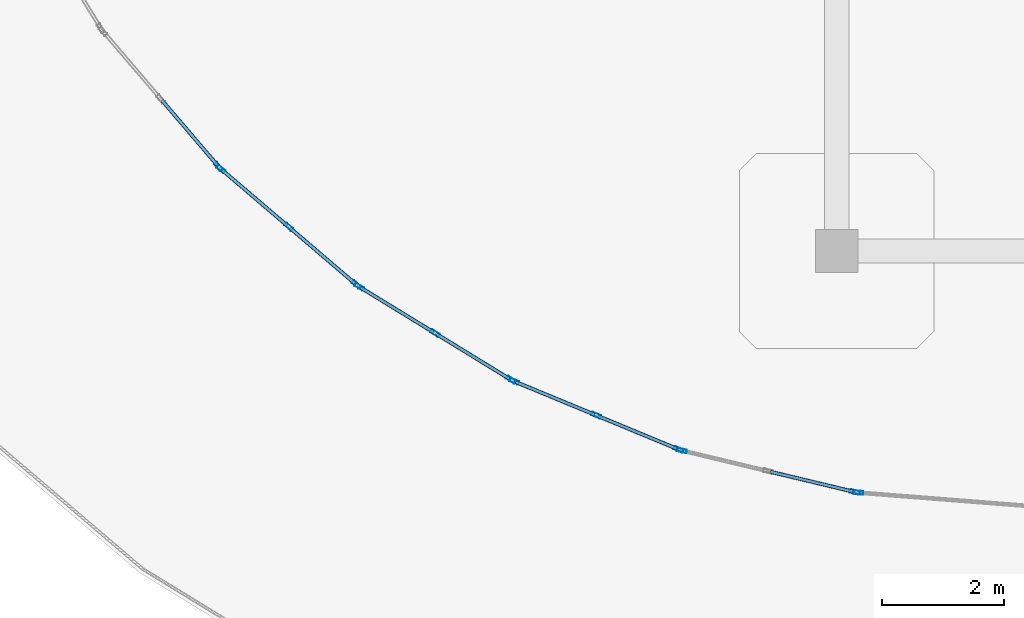
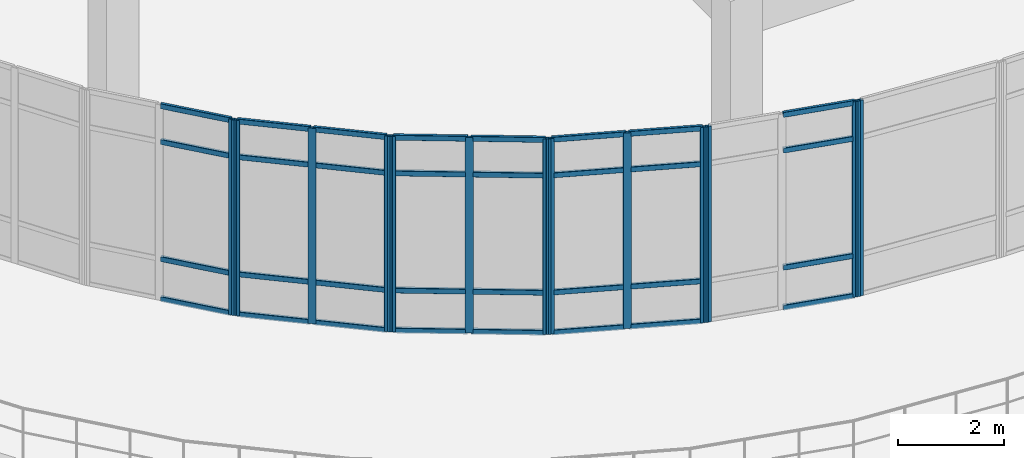
# One storey, part 2 of 76: 45 members, 6 elements without a shape of their own.
"""IFC4 building model written with IfcOpenShell, lengths in metres."""

from ifc_helpers import new_model, si_unit, derived_unit, direction, frame, origin, origin_2d, place, context, subcontext, project, spatial, hollow_rectangle, extrude, material, layer, layer_set, material_profile, profile_set, type_object, element, aggregate, save


model = new_model("IFC4")

# Units and contexts
model_context = context("Model", 3, precision=1e-05, world=origin(), true_north=direction((0.0, 1.0)))
body_context = subcontext(model_context, "Body", "Model", "MODEL_VIEW")
ifc_project = project(units=[si_unit("LENGTHUNIT", "METRE"), si_unit("AREAUNIT", "SQUARE_METRE"), si_unit("VOLUMEUNIT", "CUBIC_METRE"), si_unit("PLANEANGLEUNIT", "RADIAN"), si_unit("MASSUNIT", "GRAM", prefix="KILO"), derived_unit("THERMALTRANSMITTANCEUNIT", [(si_unit("MASSUNIT", "GRAM", prefix="KILO"), 1), (si_unit("TIMEUNIT", "SECOND"), -3), (si_unit("THERMODYNAMICTEMPERATUREUNIT", "KELVIN"), -1)])], contexts=[model_context])

# Site, building, storey
site_placement = place(None, origin())
site = spatial("IfcSite", under=ifc_project, at=site_placement, CompositionType="ELEMENT")
building_placement = place(site_placement, origin())
building = spatial("IfcBuilding", under=site, at=building_placement, Name="Qinzheling Arcade Emporium", CompositionType="ELEMENT")
storey_placement = place(building_placement, frame((0.0, 0.0, 26.699951171875)))
storey = spatial("IfcBuildingStorey", under=building, at=storey_placement, Name="L06", CompositionType="ELEMENT", Elevation=26.699951171875)

# Curtain wall, member
ifc_material_1 = material(Name="Anodised aluminium and solar-control double glazing", Category="aluminium")
ifc_layer_1 = layer(ifc_material_1, 0.159912109375, Name="Anodised aluminium and solar-control double glazing", Category="aluminium")
ifc_layer_set_1 = layer_set([ifc_layer_1], Name="Anodised aluminium and solar-control double glazing")
curtain_wall_type_1 = type_object("IfcCurtainWallType", Name="Arcade Portal Glazed Curtain Wall", PredefinedType="NOTDEFINED", material=ifc_layer_set_1)
curtain_wall_1_placement = place(storey_placement, origin())
curtain_wall_1 = element("IfcCurtainWall", 1, at=curtain_wall_1_placement, inside=storey, type_object=curtain_wall_type_1, Name="Curtain Wall CW-L06-350", PredefinedType="NOTDEFINED")
ifc_material_2 = material(Name="Anodised aluminium 6063-T6", Category="aluminium")
ifc_material_profile_1 = material_profile(ifc_material_2, hollow_rectangle(XDim=0.06005859375, YDim=0.159912109375, WallThickness=0.00390625, InnerFilletRadius=0.00390625, OuterFilletRadius=0.008056640625, at=origin_2d()), Name="RHS 160x60x4", Category="aluminium")
ifc_profile_set_1 = profile_set([ifc_material_profile_1], Name="Anodised aluminium 6063-T6")
member_type_1 = type_object("IfcMemberType", Name="Curtain Wall Mullion RHS160x60", PredefinedType="MULLION", material=ifc_profile_set_1)
member_1_placement = place(storey_placement, frame((26.4580078125, 12.83154296875, 0.0), z_axis=(0.0, 0.0, 1.0), x_axis=(-0.078491941816, -0.996914748145, 0.0)))
member_1 = element("IfcMember", 2, at=member_1_placement, type_object=member_type_1, Name="CW05 mullion 2", PredefinedType="MULLION", context=body_context, shape_type="SweptSolid", body=[
    extrude(hollow_rectangle(XDim=0.06005859375, YDim=0.159912109375, WallThickness=0.00390625, InnerFilletRadius=0.00390625, OuterFilletRadius=0.008056640625, at=origin_2d()), origin(), (0.0, 0.0, 1.0), 4.489990234375),
])
aggregate(curtain_wall_1, [member_1])

# Curtain wall, members
ifc_layer_2 = layer(ifc_material_1, 0.159912109375, Name="Anodised aluminium and solar-control double glazing", Category="aluminium")
ifc_layer_set_2 = layer_set([ifc_layer_2], Name="Anodised aluminium and solar-control double glazing")
curtain_wall_type_2 = type_object("IfcCurtainWallType", Name="Curved Ribbon Sales Curtain Wall", PredefinedType="NOTDEFINED", material=ifc_layer_set_2)
curtain_wall_2_placement = place(storey_placement, origin())
curtain_wall_2 = element("IfcCurtainWall", 3, at=curtain_wall_2_placement, inside=storey, type_object=curtain_wall_type_2, Name="Curtain Wall CW-L06-351", PredefinedType="NOTDEFINED")
member_2_placement = place(storey_placement, frame((26.39892578125, 12.841064453125, 0.0), z_axis=(0.0, 0.0, 1.0), x_axis=(-0.233449067193, -0.972369031298, 0.0)))
member_2 = element("IfcMember", 4, at=member_2_placement, type_object=member_type_1, Name="CW02 mullion 1", PredefinedType="MULLION", context=body_context, shape_type="SweptSolid", body=[
    extrude(hollow_rectangle(XDim=0.06005859375, YDim=0.159912109375, WallThickness=0.00390625, InnerFilletRadius=0.00390625, OuterFilletRadius=0.008056640625, at=origin_2d()), origin(), (0.0, 0.0, 1.0), 4.489990234375),
])
member_3_placement = place(storey_placement, frame((23.55810546875, 13.52294921875, 0.0), z_axis=(0.0, 0.0, 1.0), x_axis=(-0.233449067193, -0.972369031298, 0.0)))
member_3 = element("IfcMember", 5, at=member_3_placement, type_object=member_type_1, Name="CW02 mullion 3", PredefinedType="MULLION", context=body_context, shape_type="SweptSolid", body=[
    extrude(hollow_rectangle(XDim=0.06005859375, YDim=0.159912109375, WallThickness=0.00390625, InnerFilletRadius=0.00390625, OuterFilletRadius=0.008056640625, at=origin_2d()), origin(), (0.0, 0.0, 1.0), 4.489990234375),
])

curtain_wall_3_placement = place(storey_placement, origin())
curtain_wall_3 = element("IfcCurtainWall", 6, at=curtain_wall_3_placement, inside=storey, type_object=curtain_wall_type_2, Name="Curtain Wall CW-L06-352", PredefinedType="NOTDEFINED")
member_4_placement = place(storey_placement, frame((23.501220703125, 13.54150390625, 0.0), z_axis=(0.0, 0.0, 1.0), x_axis=(-0.382638101391, -0.923898307913, 0.0)))
member_4 = element("IfcMember", 7, at=member_4_placement, type_object=member_type_1, Name="CW02 mullion 1", PredefinedType="MULLION", context=body_context, shape_type="SweptSolid", body=[
    extrude(hollow_rectangle(XDim=0.06005859375, YDim=0.159912109375, WallThickness=0.00390625, InnerFilletRadius=0.00390625, OuterFilletRadius=0.008056640625, at=origin_2d()), origin(), (0.0, 0.0, 1.0), 4.489990234375),
])
member_5_placement = place(storey_placement, frame((22.151611328125, 14.1005859375, 0.0), z_axis=(0.0, 0.0, 1.0), x_axis=(-0.382638101391, -0.923898307913, 0.0)))
member_5 = element("IfcMember", 8, at=member_5_placement, type_object=member_type_1, Name="CW02 mullion 2", PredefinedType="MULLION", context=body_context, shape_type="SweptSolid", body=[
    extrude(hollow_rectangle(XDim=0.06005859375, YDim=0.159912109375, WallThickness=0.00390625, InnerFilletRadius=0.00390625, OuterFilletRadius=0.008056640625, at=origin_2d()), origin(), (0.0, 0.0, 1.0), 4.489990234375),
])
member_6_placement = place(storey_placement, frame((20.8017578125, 14.659423828125, 0.0), z_axis=(0.0, 0.0, 1.0), x_axis=(-0.382638101391, -0.923898307913, 0.0)))
member_6 = element("IfcMember", 9, at=member_6_placement, type_object=member_type_1, Name="CW02 mullion 3", PredefinedType="MULLION", context=body_context, shape_type="SweptSolid", body=[
    extrude(hollow_rectangle(XDim=0.06005859375, YDim=0.159912109375, WallThickness=0.00390625, InnerFilletRadius=0.00390625, OuterFilletRadius=0.008056640625, at=origin_2d()), origin(), (0.0, 0.0, 1.0), 4.489990234375),
])

curtain_wall_4_placement = place(storey_placement, origin())
curtain_wall_4 = element("IfcCurtainWall", 10, at=curtain_wall_4_placement, inside=storey, type_object=curtain_wall_type_2, Name="Curtain Wall CW-L06-353", PredefinedType="NOTDEFINED")
member_7_placement = place(storey_placement, frame((20.74853515625, 14.686767578125, 0.0), z_axis=(0.0, 0.0, 1.0), x_axis=(-0.522562057926, -0.852601252413, 0.0)))
member_7 = element("IfcMember", 11, at=member_7_placement, type_object=member_type_1, Name="CW02 mullion 1", PredefinedType="MULLION", context=body_context, shape_type="SweptSolid", body=[
    extrude(hollow_rectangle(XDim=0.06005859375, YDim=0.159912109375, WallThickness=0.00390625, InnerFilletRadius=0.00390625, OuterFilletRadius=0.008056640625, at=origin_2d()), origin(), (0.0, 0.0, 1.0), 4.489990234375),
])
member_8_placement = place(storey_placement, frame((19.5029296875, 15.449951171875, 0.0), z_axis=(0.0, 0.0, 1.0), x_axis=(-0.522562057926, -0.852601252413, 0.0)))
member_8 = element("IfcMember", 12, at=member_8_placement, type_object=member_type_1, Name="CW02 mullion 2", PredefinedType="MULLION", context=body_context, shape_type="SweptSolid", body=[
    extrude(hollow_rectangle(XDim=0.06005859375, YDim=0.159912109375, WallThickness=0.00390625, InnerFilletRadius=0.00390625, OuterFilletRadius=0.008056640625, at=origin_2d()), origin(), (0.0, 0.0, 1.0), 4.489990234375),
])
member_9_placement = place(storey_placement, frame((18.257568359375, 16.21337890625, 0.0), z_axis=(0.0, 0.0, 1.0), x_axis=(-0.522562057926, -0.852601252413, 0.0)))
member_9 = element("IfcMember", 13, at=member_9_placement, type_object=member_type_1, Name="CW02 mullion 3", PredefinedType="MULLION", context=body_context, shape_type="SweptSolid", body=[
    extrude(hollow_rectangle(XDim=0.06005859375, YDim=0.159912109375, WallThickness=0.00390625, InnerFilletRadius=0.00390625, OuterFilletRadius=0.008056640625, at=origin_2d()), origin(), (0.0, 0.0, 1.0), 4.489990234375),
])

curtain_wall_5_placement = place(storey_placement, origin())
curtain_wall_5 = element("IfcCurtainWall", 14, at=curtain_wall_5_placement, inside=storey, type_object=curtain_wall_type_2, Name="Curtain Wall CW-L06-354", PredefinedType="NOTDEFINED")
member_10_placement = place(storey_placement, frame((18.209228515625, 16.24853515625, 0.0), z_axis=(0.0, 0.0, 1.0), x_axis=(-0.649409078937, -0.760439246879, 0.0)))
member_10 = element("IfcMember", 15, at=member_10_placement, type_object=member_type_1, Name="CW02 mullion 1", PredefinedType="MULLION", context=body_context, shape_type="SweptSolid", body=[
    extrude(hollow_rectangle(XDim=0.06005859375, YDim=0.159912109375, WallThickness=0.00390625, InnerFilletRadius=0.00390625, OuterFilletRadius=0.008056640625, at=origin_2d()), origin(), (0.0, 0.0, 1.0), 4.489990234375),
])
member_11_placement = place(storey_placement, frame((17.098388671875, 17.197021484375, 0.0), z_axis=(0.0, 0.0, 1.0), x_axis=(-0.649409078937, -0.760439246879, 0.0)))
member_11 = element("IfcMember", 16, at=member_11_placement, type_object=member_type_1, Name="CW02 mullion 2", PredefinedType="MULLION", context=body_context, shape_type="SweptSolid", body=[
    extrude(hollow_rectangle(XDim=0.06005859375, YDim=0.159912109375, WallThickness=0.00390625, InnerFilletRadius=0.00390625, OuterFilletRadius=0.008056640625, at=origin_2d()), origin(), (0.0, 0.0, 1.0), 4.489990234375),
])
member_12_placement = place(storey_placement, frame((15.98779296875, 18.1455078125, 0.0), z_axis=(0.0, 0.0, 1.0), x_axis=(-0.649409078937, -0.760439246879, 0.0)))
member_12 = element("IfcMember", 17, at=member_12_placement, type_object=member_type_1, Name="CW02 mullion 3", PredefinedType="MULLION", context=body_context, shape_type="SweptSolid", body=[
    extrude(hollow_rectangle(XDim=0.06005859375, YDim=0.159912109375, WallThickness=0.00390625, InnerFilletRadius=0.00390625, OuterFilletRadius=0.008056640625, at=origin_2d()), origin(), (0.0, 0.0, 1.0), 4.489990234375),
])

# Curtain wall, member
curtain_wall_6_placement = place(storey_placement, origin())
curtain_wall_6 = element("IfcCurtainWall", 18, at=curtain_wall_6_placement, inside=storey, type_object=curtain_wall_type_2, Name="Curtain Wall CW-L06-355", PredefinedType="NOTDEFINED")
member_13_placement = place(storey_placement, frame((15.945556640625, 18.187744140625, 0.0), z_axis=(0.0, 0.0, 1.0), x_axis=(-0.760439246879, -0.649409078937, 0.0)))
member_13 = element("IfcMember", 19, at=member_13_placement, type_object=member_type_1, Name="CW02 mullion 1", PredefinedType="MULLION", context=body_context, shape_type="SweptSolid", body=[
    extrude(hollow_rectangle(XDim=0.06005859375, YDim=0.159912109375, WallThickness=0.00390625, InnerFilletRadius=0.00390625, OuterFilletRadius=0.008056640625, at=origin_2d()), origin(), (0.0, 0.0, 1.0), 4.489990234375),
])

# Member
ifc_material_profile_2 = material_profile(ifc_material_2, hollow_rectangle(XDim=0.06005859375, YDim=0.1201171875, WallThickness=0.00390625, InnerFilletRadius=0.00390625, OuterFilletRadius=0.008056640625, at=origin_2d()), Name="RHS 120x60x4", Category="aluminium")
ifc_profile_set_2 = profile_set([ifc_material_profile_2], Name="Anodised aluminium 6063-T6")
member_type_2 = type_object("IfcMemberType", Name="Curtain Wall Transom RHS120x60", PredefinedType="USERDEFINED", material=ifc_profile_set_2)
member_14_placement = place(storey_placement, frame((26.36962890625, 12.847900390625, 0.030029296875), z_axis=(-0.972346154133, 0.233544335282, 0.0), x_axis=(-0.233544335282, -0.972346154133, 0.0)))
member_14 = element("IfcMember", 20, at=member_14_placement, type_object=member_type_2, Name="CW02 transom 1.1", ObjectType="TRANSOM", PredefinedType="USERDEFINED", context=body_context, shape_type="SweptSolid", body=[
    extrude(hollow_rectangle(XDim=0.06005859375, YDim=0.1201171875, WallThickness=0.00390625, InnerFilletRadius=0.00390625, OuterFilletRadius=0.008056640625, at=origin_2d()), origin(), (0.0, 0.0, 1.0), 1.40087890625),
])

member_15_placement = place(storey_placement, frame((26.36962890625, 12.847900390625, 0.949951171875), z_axis=(-0.972346154133, 0.233544335282, 0.0), x_axis=(-0.233544335282, -0.972346154133, 0.0)))
member_15 = element("IfcMember", 21, at=member_15_placement, type_object=member_type_2, Name="CW02 transom 1.2", ObjectType="TRANSOM", PredefinedType="USERDEFINED", context=body_context, shape_type="SweptSolid", body=[
    extrude(hollow_rectangle(XDim=0.06005859375, YDim=0.1201171875, WallThickness=0.00390625, InnerFilletRadius=0.00390625, OuterFilletRadius=0.008056640625, at=origin_2d()), origin(), (0.0, 0.0, 1.0), 1.40087890625),
])

member_16_placement = place(storey_placement, frame((26.36962890625, 12.847900390625, 3.64013671875), z_axis=(-0.972346154133, 0.233544335282, 0.0), x_axis=(-0.233544335282, -0.972346154133, 0.0)))
member_16 = element("IfcMember", 22, at=member_16_placement, type_object=member_type_2, Name="CW02 transom 1.3", ObjectType="TRANSOM", PredefinedType="USERDEFINED", context=body_context, shape_type="SweptSolid", body=[
    extrude(hollow_rectangle(XDim=0.06005859375, YDim=0.1201171875, WallThickness=0.00390625, InnerFilletRadius=0.00390625, OuterFilletRadius=0.008056640625, at=origin_2d()), origin(), (0.0, 0.0, 1.0), 1.40087890625),
])

member_17_placement = place(storey_placement, frame((26.36962890625, 12.847900390625, 4.4599609375), z_axis=(-0.972346154133, 0.233544335282, 0.0), x_axis=(-0.233544335282, -0.972346154133, 0.0)))
member_17 = element("IfcMember", 23, at=member_17_placement, type_object=member_type_2, Name="CW02 transom 1.4", ObjectType="TRANSOM", PredefinedType="USERDEFINED", context=body_context, shape_type="SweptSolid", body=[
    extrude(hollow_rectangle(XDim=0.06005859375, YDim=0.1201171875, WallThickness=0.00390625, InnerFilletRadius=0.00390625, OuterFilletRadius=0.008056640625, at=origin_2d()), origin(), (0.0, 0.0, 1.0), 1.40087890625),
])

aggregate(curtain_wall_2, [member_2, member_3, member_14, member_15, member_16, member_17])

member_18_placement = place(storey_placement, frame((23.4736328125, 13.552978515625, 0.030029296875), z_axis=(-0.923889408399, 0.382659588994, 0.0), x_axis=(-0.382659588994, -0.923889408399, 0.0)))
member_18 = element("IfcMember", 24, at=member_18_placement, type_object=member_type_2, Name="CW02 transom 1.1", ObjectType="TRANSOM", PredefinedType="USERDEFINED", context=body_context, shape_type="SweptSolid", body=[
    extrude(hollow_rectangle(XDim=0.06005859375, YDim=0.1201171875, WallThickness=0.00390625, InnerFilletRadius=0.00390625, OuterFilletRadius=0.008056640625, at=origin_2d()), origin(), (0.0, 0.0, 1.0), 1.401123046875),
])

member_19_placement = place(storey_placement, frame((23.4736328125, 13.552978515625, 0.949951171875), z_axis=(-0.923889408399, 0.382659588994, 0.0), x_axis=(-0.382659588994, -0.923889408399, 0.0)))
member_19 = element("IfcMember", 25, at=member_19_placement, type_object=member_type_2, Name="CW02 transom 1.2", ObjectType="TRANSOM", PredefinedType="USERDEFINED", context=body_context, shape_type="SweptSolid", body=[
    extrude(hollow_rectangle(XDim=0.06005859375, YDim=0.1201171875, WallThickness=0.00390625, InnerFilletRadius=0.00390625, OuterFilletRadius=0.008056640625, at=origin_2d()), origin(), (0.0, 0.0, 1.0), 1.401123046875),
])

member_20_placement = place(storey_placement, frame((23.4736328125, 13.552978515625, 3.64013671875), z_axis=(-0.923889408399, 0.382659588994, 0.0), x_axis=(-0.382659588994, -0.923889408399, 0.0)))
member_20 = element("IfcMember", 26, at=member_20_placement, type_object=member_type_2, Name="CW02 transom 1.3", ObjectType="TRANSOM", PredefinedType="USERDEFINED", context=body_context, shape_type="SweptSolid", body=[
    extrude(hollow_rectangle(XDim=0.06005859375, YDim=0.1201171875, WallThickness=0.00390625, InnerFilletRadius=0.00390625, OuterFilletRadius=0.008056640625, at=origin_2d()), origin(), (0.0, 0.0, 1.0), 1.401123046875),
])

member_21_placement = place(storey_placement, frame((23.4736328125, 13.552978515625, 4.4599609375), z_axis=(-0.923889408399, 0.382659588994, 0.0), x_axis=(-0.382659588994, -0.923889408399, 0.0)))
member_21 = element("IfcMember", 27, at=member_21_placement, type_object=member_type_2, Name="CW02 transom 1.4", ObjectType="TRANSOM", PredefinedType="USERDEFINED", context=body_context, shape_type="SweptSolid", body=[
    extrude(hollow_rectangle(XDim=0.06005859375, YDim=0.1201171875, WallThickness=0.00390625, InnerFilletRadius=0.00390625, OuterFilletRadius=0.008056640625, at=origin_2d()), origin(), (0.0, 0.0, 1.0), 1.401123046875),
])

member_22_placement = place(storey_placement, frame((22.123779296875, 14.112060546875, 0.030029296875), z_axis=(-0.923951005091, 0.382510836698, 0.0), x_axis=(-0.382510836698, -0.923951005091, 0.0)))
member_22 = element("IfcMember", 28, at=member_22_placement, type_object=member_type_2, Name="CW02 transom 2.1", ObjectType="TRANSOM", PredefinedType="USERDEFINED", context=body_context, shape_type="SweptSolid", body=[
    extrude(hollow_rectangle(XDim=0.06005859375, YDim=0.1201171875, WallThickness=0.00390625, InnerFilletRadius=0.00390625, OuterFilletRadius=0.008056640625, at=origin_2d()), origin(), (0.0, 0.0, 1.0), 1.40087890625),
])

member_23_placement = place(storey_placement, frame((22.123779296875, 14.112060546875, 0.949951171875), z_axis=(-0.923951005091, 0.382510836698, 0.0), x_axis=(-0.382510836698, -0.923951005091, 0.0)))
member_23 = element("IfcMember", 29, at=member_23_placement, type_object=member_type_2, Name="CW02 transom 2.2", ObjectType="TRANSOM", PredefinedType="USERDEFINED", context=body_context, shape_type="SweptSolid", body=[
    extrude(hollow_rectangle(XDim=0.06005859375, YDim=0.1201171875, WallThickness=0.00390625, InnerFilletRadius=0.00390625, OuterFilletRadius=0.008056640625, at=origin_2d()), origin(), (0.0, 0.0, 1.0), 1.40087890625),
])

member_24_placement = place(storey_placement, frame((22.123779296875, 14.112060546875, 3.64013671875), z_axis=(-0.923951005091, 0.382510836698, 0.0), x_axis=(-0.382510836698, -0.923951005091, 0.0)))
member_24 = element("IfcMember", 30, at=member_24_placement, type_object=member_type_2, Name="CW02 transom 2.3", ObjectType="TRANSOM", PredefinedType="USERDEFINED", context=body_context, shape_type="SweptSolid", body=[
    extrude(hollow_rectangle(XDim=0.06005859375, YDim=0.1201171875, WallThickness=0.00390625, InnerFilletRadius=0.00390625, OuterFilletRadius=0.008056640625, at=origin_2d()), origin(), (0.0, 0.0, 1.0), 1.40087890625),
])

member_25_placement = place(storey_placement, frame((22.123779296875, 14.112060546875, 4.4599609375), z_axis=(-0.923951005091, 0.382510836698, 0.0), x_axis=(-0.382510836698, -0.923951005091, 0.0)))
member_25 = element("IfcMember", 31, at=member_25_placement, type_object=member_type_2, Name="CW02 transom 2.4", ObjectType="TRANSOM", PredefinedType="USERDEFINED", context=body_context, shape_type="SweptSolid", body=[
    extrude(hollow_rectangle(XDim=0.06005859375, YDim=0.1201171875, WallThickness=0.00390625, InnerFilletRadius=0.00390625, OuterFilletRadius=0.008056640625, at=origin_2d()), origin(), (0.0, 0.0, 1.0), 1.40087890625),
])

aggregate(curtain_wall_3, [member_4, member_5, member_6, member_18, member_19, member_20, member_21, member_22, member_23, member_24, member_25])

member_26_placement = place(storey_placement, frame((20.722900390625, 14.702392578125, 0.030029296875), z_axis=(-0.852626300664, 0.522521187529, 0.0), x_axis=(-0.522521187529, -0.852626300664, 0.0)))
member_26 = element("IfcMember", 32, at=member_26_placement, type_object=member_type_2, Name="CW02 transom 1.1", ObjectType="TRANSOM", PredefinedType="USERDEFINED", context=body_context, shape_type="SweptSolid", body=[
    extrude(hollow_rectangle(XDim=0.06005859375, YDim=0.1201171875, WallThickness=0.00390625, InnerFilletRadius=0.00390625, OuterFilletRadius=0.008056640625, at=origin_2d()), origin(), (0.0, 0.0, 1.0), 1.40087890625),
])

member_27_placement = place(storey_placement, frame((20.722900390625, 14.702392578125, 0.949951171875), z_axis=(-0.852626300664, 0.522521187529, 0.0), x_axis=(-0.522521187529, -0.852626300664, 0.0)))
member_27 = element("IfcMember", 33, at=member_27_placement, type_object=member_type_2, Name="CW02 transom 1.2", ObjectType="TRANSOM", PredefinedType="USERDEFINED", context=body_context, shape_type="SweptSolid", body=[
    extrude(hollow_rectangle(XDim=0.06005859375, YDim=0.1201171875, WallThickness=0.00390625, InnerFilletRadius=0.00390625, OuterFilletRadius=0.008056640625, at=origin_2d()), origin(), (0.0, 0.0, 1.0), 1.40087890625),
])

member_28_placement = place(storey_placement, frame((20.722900390625, 14.702392578125, 3.64013671875), z_axis=(-0.852626300664, 0.522521187529, 0.0), x_axis=(-0.522521187529, -0.852626300664, 0.0)))
member_28 = element("IfcMember", 34, at=member_28_placement, type_object=member_type_2, Name="CW02 transom 1.3", ObjectType="TRANSOM", PredefinedType="USERDEFINED", context=body_context, shape_type="SweptSolid", body=[
    extrude(hollow_rectangle(XDim=0.06005859375, YDim=0.1201171875, WallThickness=0.00390625, InnerFilletRadius=0.00390625, OuterFilletRadius=0.008056640625, at=origin_2d()), origin(), (0.0, 0.0, 1.0), 1.40087890625),
])

member_29_placement = place(storey_placement, frame((20.722900390625, 14.702392578125, 4.4599609375), z_axis=(-0.852626300664, 0.522521187529, 0.0), x_axis=(-0.522521187529, -0.852626300664, 0.0)))
member_29 = element("IfcMember", 35, at=member_29_placement, type_object=member_type_2, Name="CW02 transom 1.4", ObjectType="TRANSOM", PredefinedType="USERDEFINED", context=body_context, shape_type="SweptSolid", body=[
    extrude(hollow_rectangle(XDim=0.06005859375, YDim=0.1201171875, WallThickness=0.00390625, InnerFilletRadius=0.00390625, OuterFilletRadius=0.008056640625, at=origin_2d()), origin(), (0.0, 0.0, 1.0), 1.40087890625),
])

member_30_placement = place(storey_placement, frame((19.4775390625, 15.465576171875, 0.030029296875), z_axis=(-0.852548649495, 0.522647874046, 0.0), x_axis=(-0.522647874046, -0.852548649495, 0.0)))
member_30 = element("IfcMember", 36, at=member_30_placement, type_object=member_type_2, Name="CW02 transom 2.1", ObjectType="TRANSOM", PredefinedType="USERDEFINED", context=body_context, shape_type="SweptSolid", body=[
    extrude(hollow_rectangle(XDim=0.06005859375, YDim=0.1201171875, WallThickness=0.00390625, InnerFilletRadius=0.00390625, OuterFilletRadius=0.008056640625, at=origin_2d()), origin(), (0.0, 0.0, 1.0), 1.40087890625),
])

member_31_placement = place(storey_placement, frame((19.4775390625, 15.465576171875, 0.949951171875), z_axis=(-0.852548649495, 0.522647874046, 0.0), x_axis=(-0.522647874046, -0.852548649495, 0.0)))
member_31 = element("IfcMember", 37, at=member_31_placement, type_object=member_type_2, Name="CW02 transom 2.2", ObjectType="TRANSOM", PredefinedType="USERDEFINED", context=body_context, shape_type="SweptSolid", body=[
    extrude(hollow_rectangle(XDim=0.06005859375, YDim=0.1201171875, WallThickness=0.00390625, InnerFilletRadius=0.00390625, OuterFilletRadius=0.008056640625, at=origin_2d()), origin(), (0.0, 0.0, 1.0), 1.40087890625),
])

member_32_placement = place(storey_placement, frame((19.4775390625, 15.465576171875, 3.64013671875), z_axis=(-0.852548649495, 0.522647874046, 0.0), x_axis=(-0.522647874046, -0.852548649495, 0.0)))
member_32 = element("IfcMember", 38, at=member_32_placement, type_object=member_type_2, Name="CW02 transom 2.3", ObjectType="TRANSOM", PredefinedType="USERDEFINED", context=body_context, shape_type="SweptSolid", body=[
    extrude(hollow_rectangle(XDim=0.06005859375, YDim=0.1201171875, WallThickness=0.00390625, InnerFilletRadius=0.00390625, OuterFilletRadius=0.008056640625, at=origin_2d()), origin(), (0.0, 0.0, 1.0), 1.40087890625),
])

member_33_placement = place(storey_placement, frame((19.4775390625, 15.465576171875, 4.4599609375), z_axis=(-0.852548649495, 0.522647874046, 0.0), x_axis=(-0.522647874046, -0.852548649495, 0.0)))
member_33 = element("IfcMember", 39, at=member_33_placement, type_object=member_type_2, Name="CW02 transom 2.4", ObjectType="TRANSOM", PredefinedType="USERDEFINED", context=body_context, shape_type="SweptSolid", body=[
    extrude(hollow_rectangle(XDim=0.06005859375, YDim=0.1201171875, WallThickness=0.00390625, InnerFilletRadius=0.00390625, OuterFilletRadius=0.008056640625, at=origin_2d()), origin(), (0.0, 0.0, 1.0), 1.40087890625),
])

aggregate(curtain_wall_4, [member_7, member_8, member_9, member_26, member_27, member_28, member_29, member_30, member_31, member_32, member_33])

member_34_placement = place(storey_placement, frame((18.186279296875, 16.26806640625, 0.030029296875), z_axis=(-0.760449006771, 0.649397650212, 0.0), x_axis=(-0.649397650212, -0.760449006771, 0.0)))
member_34 = element("IfcMember", 40, at=member_34_placement, type_object=member_type_2, Name="CW02 transom 1.1", ObjectType="TRANSOM", PredefinedType="USERDEFINED", context=body_context, shape_type="SweptSolid", body=[
    extrude(hollow_rectangle(XDim=0.06005859375, YDim=0.1201171875, WallThickness=0.00390625, InnerFilletRadius=0.00390625, OuterFilletRadius=0.008056640625, at=origin_2d()), origin(), (0.0, 0.0, 1.0), 1.400390625),
])

member_35_placement = place(storey_placement, frame((18.186279296875, 16.26806640625, 0.949951171875), z_axis=(-0.760449006771, 0.649397650212, 0.0), x_axis=(-0.649397650212, -0.760449006771, 0.0)))
member_35 = element("IfcMember", 41, at=member_35_placement, type_object=member_type_2, Name="CW02 transom 1.2", ObjectType="TRANSOM", PredefinedType="USERDEFINED", context=body_context, shape_type="SweptSolid", body=[
    extrude(hollow_rectangle(XDim=0.06005859375, YDim=0.1201171875, WallThickness=0.00390625, InnerFilletRadius=0.00390625, OuterFilletRadius=0.008056640625, at=origin_2d()), origin(), (0.0, 0.0, 1.0), 1.400390625),
])

member_36_placement = place(storey_placement, frame((18.186279296875, 16.26806640625, 3.64013671875), z_axis=(-0.760449006771, 0.649397650212, 0.0), x_axis=(-0.649397650212, -0.760449006771, 0.0)))
member_36 = element("IfcMember", 42, at=member_36_placement, type_object=member_type_2, Name="CW02 transom 1.3", ObjectType="TRANSOM", PredefinedType="USERDEFINED", context=body_context, shape_type="SweptSolid", body=[
    extrude(hollow_rectangle(XDim=0.06005859375, YDim=0.1201171875, WallThickness=0.00390625, InnerFilletRadius=0.00390625, OuterFilletRadius=0.008056640625, at=origin_2d()), origin(), (0.0, 0.0, 1.0), 1.400390625),
])

member_37_placement = place(storey_placement, frame((18.186279296875, 16.26806640625, 4.4599609375), z_axis=(-0.760449006771, 0.649397650212, 0.0), x_axis=(-0.649397650212, -0.760449006771, 0.0)))
member_37 = element("IfcMember", 43, at=member_37_placement, type_object=member_type_2, Name="CW02 transom 1.4", ObjectType="TRANSOM", PredefinedType="USERDEFINED", context=body_context, shape_type="SweptSolid", body=[
    extrude(hollow_rectangle(XDim=0.06005859375, YDim=0.1201171875, WallThickness=0.00390625, InnerFilletRadius=0.00390625, OuterFilletRadius=0.008056640625, at=origin_2d()), origin(), (0.0, 0.0, 1.0), 1.400390625),
])

member_38_placement = place(storey_placement, frame((17.07568359375, 17.216552734375, 0.030029296875), z_axis=(-0.760449006771, 0.649397650212, 0.0), x_axis=(-0.649397650212, -0.760449006771, 0.0)))
member_38 = element("IfcMember", 44, at=member_38_placement, type_object=member_type_2, Name="CW02 transom 2.1", ObjectType="TRANSOM", PredefinedType="USERDEFINED", context=body_context, shape_type="SweptSolid", body=[
    extrude(hollow_rectangle(XDim=0.06005859375, YDim=0.1201171875, WallThickness=0.00390625, InnerFilletRadius=0.00390625, OuterFilletRadius=0.008056640625, at=origin_2d()), origin(), (0.0, 0.0, 1.0), 1.400390625),
])

member_39_placement = place(storey_placement, frame((17.07568359375, 17.216552734375, 0.949951171875), z_axis=(-0.760449006771, 0.649397650212, 0.0), x_axis=(-0.649397650212, -0.760449006771, 0.0)))
member_39 = element("IfcMember", 45, at=member_39_placement, type_object=member_type_2, Name="CW02 transom 2.2", ObjectType="TRANSOM", PredefinedType="USERDEFINED", context=body_context, shape_type="SweptSolid", body=[
    extrude(hollow_rectangle(XDim=0.06005859375, YDim=0.1201171875, WallThickness=0.00390625, InnerFilletRadius=0.00390625, OuterFilletRadius=0.008056640625, at=origin_2d()), origin(), (0.0, 0.0, 1.0), 1.400390625),
])

member_40_placement = place(storey_placement, frame((17.07568359375, 17.216552734375, 3.64013671875), z_axis=(-0.760449006771, 0.649397650212, 0.0), x_axis=(-0.649397650212, -0.760449006771, 0.0)))
member_40 = element("IfcMember", 46, at=member_40_placement, type_object=member_type_2, Name="CW02 transom 2.3", ObjectType="TRANSOM", PredefinedType="USERDEFINED", context=body_context, shape_type="SweptSolid", body=[
    extrude(hollow_rectangle(XDim=0.06005859375, YDim=0.1201171875, WallThickness=0.00390625, InnerFilletRadius=0.00390625, OuterFilletRadius=0.008056640625, at=origin_2d()), origin(), (0.0, 0.0, 1.0), 1.400390625),
])

member_41_placement = place(storey_placement, frame((17.07568359375, 17.216552734375, 4.4599609375), z_axis=(-0.760449006771, 0.649397650212, 0.0), x_axis=(-0.649397650212, -0.760449006771, 0.0)))
member_41 = element("IfcMember", 47, at=member_41_placement, type_object=member_type_2, Name="CW02 transom 2.4", ObjectType="TRANSOM", PredefinedType="USERDEFINED", context=body_context, shape_type="SweptSolid", body=[
    extrude(hollow_rectangle(XDim=0.06005859375, YDim=0.1201171875, WallThickness=0.00390625, InnerFilletRadius=0.00390625, OuterFilletRadius=0.008056640625, at=origin_2d()), origin(), (0.0, 0.0, 1.0), 1.400390625),
])

aggregate(curtain_wall_5, [member_10, member_11, member_12, member_34, member_35, member_36, member_37, member_38, member_39, member_40, member_41])

member_42_placement = place(storey_placement, frame((15.926025390625, 18.210693359375, 0.030029296875), z_axis=(-0.649397650212, 0.760449006771, 0.0), x_axis=(-0.760449006771, -0.649397650212, 0.0)))
member_42 = element("IfcMember", 48, at=member_42_placement, type_object=member_type_2, Name="CW02 transom 1.1", ObjectType="TRANSOM", PredefinedType="USERDEFINED", context=body_context, shape_type="SweptSolid", body=[
    extrude(hollow_rectangle(XDim=0.06005859375, YDim=0.1201171875, WallThickness=0.00390625, InnerFilletRadius=0.00390625, OuterFilletRadius=0.008056640625, at=origin_2d()), origin(), (0.0, 0.0, 1.0), 1.400390625),
])

member_43_placement = place(storey_placement, frame((15.926025390625, 18.210693359375, 0.949951171875), z_axis=(-0.649397650212, 0.760449006771, 0.0), x_axis=(-0.760449006771, -0.649397650212, 0.0)))
member_43 = element("IfcMember", 49, at=member_43_placement, type_object=member_type_2, Name="CW02 transom 1.2", ObjectType="TRANSOM", PredefinedType="USERDEFINED", context=body_context, shape_type="SweptSolid", body=[
    extrude(hollow_rectangle(XDim=0.06005859375, YDim=0.1201171875, WallThickness=0.00390625, InnerFilletRadius=0.00390625, OuterFilletRadius=0.008056640625, at=origin_2d()), origin(), (0.0, 0.0, 1.0), 1.400390625),
])

member_44_placement = place(storey_placement, frame((15.926025390625, 18.210693359375, 3.64013671875), z_axis=(-0.649397650212, 0.760449006771, 0.0), x_axis=(-0.760449006771, -0.649397650212, 0.0)))
member_44 = element("IfcMember", 50, at=member_44_placement, type_object=member_type_2, Name="CW02 transom 1.3", ObjectType="TRANSOM", PredefinedType="USERDEFINED", context=body_context, shape_type="SweptSolid", body=[
    extrude(hollow_rectangle(XDim=0.06005859375, YDim=0.1201171875, WallThickness=0.00390625, InnerFilletRadius=0.00390625, OuterFilletRadius=0.008056640625, at=origin_2d()), origin(), (0.0, 0.0, 1.0), 1.400390625),
])

member_45_placement = place(storey_placement, frame((15.926025390625, 18.210693359375, 4.4599609375), z_axis=(-0.649397650212, 0.760449006771, 0.0), x_axis=(-0.760449006771, -0.649397650212, 0.0)))
member_45 = element("IfcMember", 51, at=member_45_placement, type_object=member_type_2, Name="CW02 transom 1.4", ObjectType="TRANSOM", PredefinedType="USERDEFINED", context=body_context, shape_type="SweptSolid", body=[
    extrude(hollow_rectangle(XDim=0.06005859375, YDim=0.1201171875, WallThickness=0.00390625, InnerFilletRadius=0.00390625, OuterFilletRadius=0.008056640625, at=origin_2d()), origin(), (0.0, 0.0, 1.0), 1.400390625),
])

aggregate(curtain_wall_6, [member_13, member_42, member_43, member_44, member_45])

save(model, "model.ifc")
